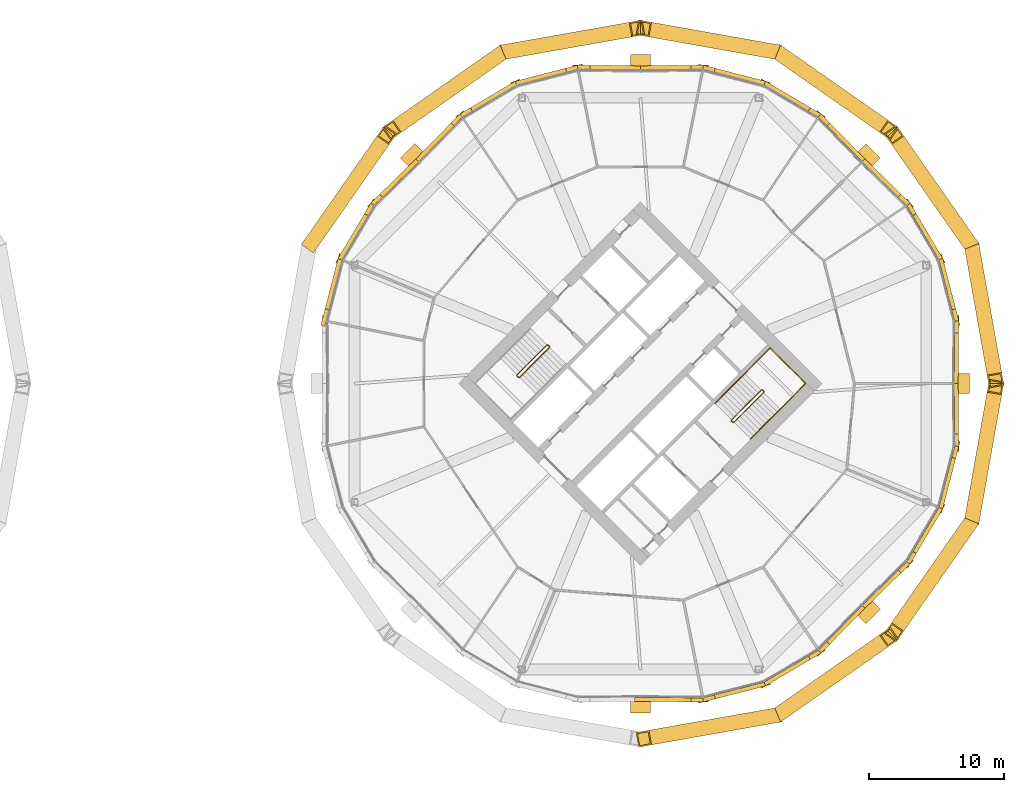
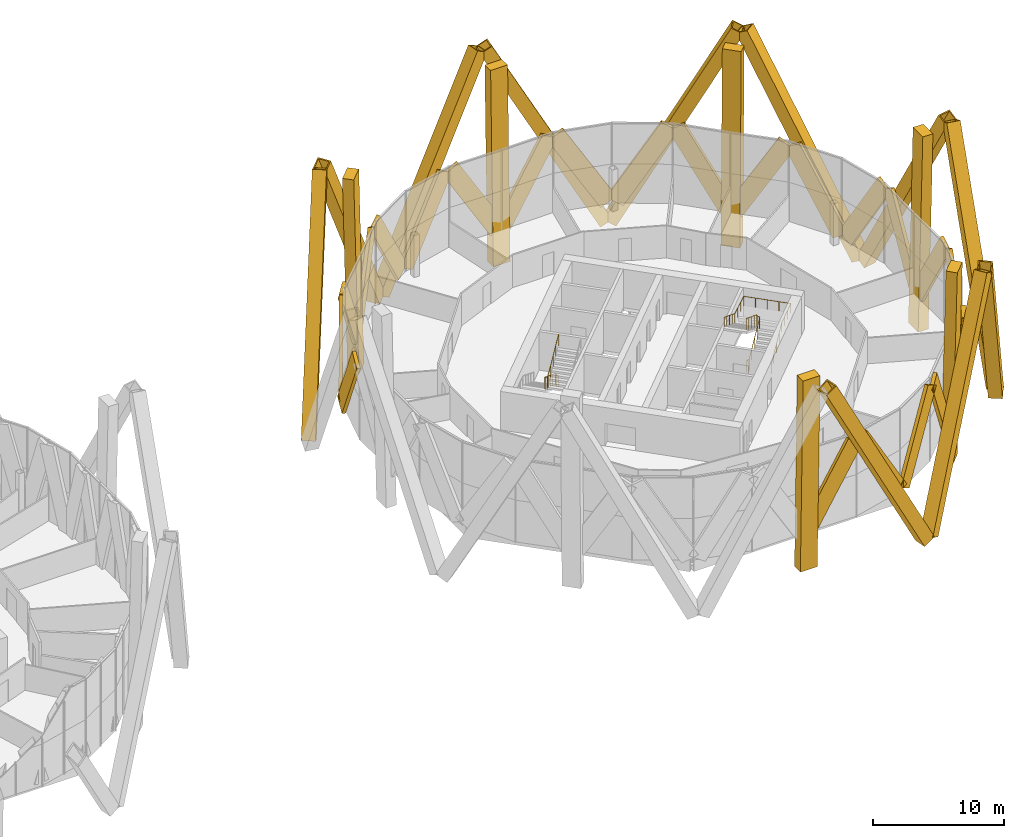
# One storey, part 30 of 31: 40 coverings, 3 railings.
"""IFC4 building model written with IfcOpenShell, lengths in metres."""

from ifc_helpers import new_model, si_unit, direction, frame, origin, origin_2d, place, context, subcontext, project, spatial, rectangle, hollow_rectangle, circle, extrude, material, material_profile, profile_set, type_object, element, save


model = new_model("IFC4")

# Units and contexts
model_context = context("Model", 3, precision=1e-05, world=origin(), true_north=direction((0.0, 1.0)))
body_context = subcontext(model_context, "Body", "Model", "MODEL_VIEW")
ifc_project = project(units=[si_unit("LENGTHUNIT", "METRE"), si_unit("AREAUNIT", "SQUARE_METRE"), si_unit("VOLUMEUNIT", "CUBIC_METRE"), si_unit("PLANEANGLEUNIT", "RADIAN"), si_unit("MASSUNIT", "GRAM", prefix="KILO")], contexts=[model_context])

# Site, building, storey
site_placement = place(None, origin())
site = spatial("IfcSite", under=ifc_project, at=site_placement, CompositionType="ELEMENT")
building_placement = place(site_placement, origin())
building = spatial("IfcBuilding", under=site, at=building_placement, Name="Ogive Gate Towers", CompositionType="ELEMENT")
storey_placement = place(building_placement, frame((0.0, 0.0, 55.800048828125)))
storey = spatial("IfcBuildingStorey", under=building, at=storey_placement, Name="L12", CompositionType="ELEMENT", Elevation=55.800048828125)

# Coverings
ifc_material_1 = material(Name="Pale metal aluminium", Category="aluminium")
ifc_material_profile_1 = material_profile(ifc_material_1, rectangle(XDim=1.5, YDim=0.89990234375, at=origin_2d()), Name="1500 x 900 pale metal aluminium")
ifc_profile_set_1 = profile_set([ifc_material_profile_1], Name="Pale metal aluminium")
covering_type_1 = type_object("IfcCoveringType", Name="Crease colonnette 1500 x 900", PredefinedType="CLADDING", material=ifc_profile_set_1)
for number, where, z_axis, x_axis, name in (
    (1, (59.510009765625, 0.0, -3.199951171875), (0.022641455512, 0.0, 0.999743649388), (0.0, 1.0, 0.0), "Crease colonnette"),
    (2, (52.6240234375, 16.6240234375, -3.199951171875), (0.016020274109, 0.016020274109, 0.999743317875), (-0.707106781187, 0.707106781187, 0.0), "Crease colonnette"),
    (3, (36.0, 23.510009765625, -3.199951171875), (0.0, 0.022641455512, 0.999743649388), (-1.0, 0.0, 0.0), "Crease colonnette"),
    (4, (19.3759765625, 16.6240234375, -3.199951171875), (-0.016020274109, 0.016020274109, 0.999743317875), (-0.707106781187, -0.707106781187, 0.0), "Crease colonnette"),
    (5, (36.0, -23.510009765625, -3.199951171875), (0.0, -0.022641455512, 0.999743649388), (1.0, 0.0, 0.0), "Crease colonnette"),
    (6, (52.6240234375, -16.6240234375, -3.199951171875), (0.016020274109, -0.016020274109, 0.999743317875), (0.707106781187, 0.707106781187, 0.0), "Crease colonnette"),
):
    element("IfcCovering", number, at=place(storey_placement, frame(where, z_axis=z_axis, x_axis=x_axis)), inside=storey, type_object=covering_type_1, Name=name, PredefinedType="CLADDING", context=body_context, shape_type="SweptSolid", body=[
        extrude(rectangle(XDim=1.5, YDim=0.89990234375, at=origin_2d()), origin(), (0.0, 0.0, 1.0), 18.1044921875),
    ])
ifc_material_2 = material(Name="Pale metal aluminium cladding", Category="aluminium")
ifc_material_profile_2 = material_profile(ifc_material_2, hollow_rectangle(XDim=1.10009765625, YDim=1.10009765625, WallThickness=0.10009765625, at=origin_2d()), Name="1100 x 1100 pale metal casing")
ifc_profile_set_2 = profile_set([ifc_material_profile_2], Name="Pale metal aluminium cladding")
covering_type_2 = type_object("IfcCoveringType", Name="Diagrid casing 1100 x 1100", PredefinedType="CLADDING", material=ifc_profile_set_2)
for number, where, z_axis, x_axis, name in (
    (7, (60.573974609375, 9.906982421875, -3.4140625), (0.081633060941, -0.460529727874, 0.8838825788), (0.984650404569, 0.174538192904, 0.0), "Diagrid casing"),
    (8, (60.381591796875, 10.37109375, -3.4140625), (-0.267924536079, 0.383368285063, 0.88388076174), (-0.819666880765, -0.572840470443, 0.0), "Diagrid casing"),
    (9, (46.37109375, 24.381591796875, -3.4140625), (0.383368285063, -0.267924536079, 0.88388076174), (0.572840470443, 0.819666880765, 0.0), "Diagrid casing"),
    (10, (45.906982421875, 24.573974609375, -3.4140625), (-0.460529727874, 0.081633060941, 0.8838825788), (-0.174538192904, -0.984650404569, 0.0), "Diagrid casing"),
    (11, (26.093017578125, 24.573974609375, -3.4140625), (0.460529727874, 0.081633060941, 0.8838825788), (-0.174538192904, 0.984650404569, 0.0), "Diagrid casing"),
    (12, (25.62890625, 24.381591796875, -3.4140625), (-0.383368285063, -0.267924536079, 0.88388076174), (0.572840470443, -0.819666880765, 0.0), "Diagrid casing"),
    (13, (11.618408203125, 10.37109375, -3.4140625), (0.267924536079, 0.383368285063, 0.88388076174), (-0.819666880765, 0.572840470443, 0.0), "Diagrid casing"),
    (14, (45.906982421875, -24.573974609375, -3.4140625), (-0.460529727874, -0.081633060941, 0.8838825788), (0.174538192904, -0.984650404569, 0.0), "Diagrid casing"),
    (15, (46.37109375, -24.381591796875, -3.4140625), (0.383368285063, 0.267924536079, 0.88388076174), (-0.572840470443, 0.819666880765, 0.0), "Diagrid casing"),
    (16, (60.381591796875, -10.37109375, -3.4140625), (-0.267924536079, -0.383368285063, 0.88388076174), (0.819666880765, -0.572840470443, 0.0), "Diagrid casing"),
    (17, (60.573974609375, -9.906982421875, -3.4140625), (0.081633060941, 0.460529727874, 0.8838825788), (-0.984650404569, 0.174538192904, 0.0), "Diagrid casing"),
):
    element("IfcCovering", number, at=place(storey_placement, frame(where, z_axis=z_axis, x_axis=x_axis)), inside=storey, type_object=covering_type_2, Name=name, PredefinedType="CLADDING", context=body_context, shape_type="SweptSolid", body=[
        extrude(hollow_rectangle(XDim=1.10009765625, YDim=1.10009765625, WallThickness=0.10009765625, at=origin_2d()), origin(), (0.0, 0.0, 1.0), 20.9619140625),
    ])
ifc_material_profile_3 = material_profile(ifc_material_1, rectangle(XDim=0.300048828125, YDim=1.5, at=origin_2d()), Name="1500 x 300 pale metal aluminium")
ifc_profile_set_3 = profile_set([ifc_material_profile_3], Name="Pale metal aluminium")
covering_type_3 = type_object("IfcCoveringType", Name="Facade fin 1500 x 300", PredefinedType="CLADDING", material=ifc_profile_set_3)
covering_1_placement = place(storey_placement, frame((59.372314453125, 0.223388671875, 0.031494140625), z_axis=(0.005227298742, 0.50866097305, 0.860951038006), x_axis=(-0.999947200062, 0.010276044395, 0.0)))
element("IfcCovering", 18, at=covering_1_placement, inside=storey, type_object=covering_type_3, Name="Facade fin", PredefinedType="CLADDING", context=body_context, shape_type="SweptSolid", body=[
    extrude(rectangle(XDim=0.300048828125, YDim=1.5, at=origin_2d()), origin(), (0.0, 0.0, 1.0), 8.17333984375),
])
for number, where, z_axis, x_axis, name in (
    (19, (58.305419921875, 8.960205078125, 0.03515625), (0.127924906593, -0.497485747863, 0.85798784895), (0.968492932597, 0.249041039811, 0.0), "Facade fin"),
    (20, (58.108154296875, 9.4365234375, 0.03515625), (-0.261358721817, 0.442232902804, 0.857975336596), (-0.860893036422, -0.508785986285, 0.0), "Facade fin"),
):
    element("IfcCovering", number, at=place(storey_placement, frame(where, z_axis=z_axis, x_axis=x_axis)), inside=storey, type_object=covering_type_3, Name=name, PredefinedType="CLADDING", context=body_context, shape_type="SweptSolid", body=[
        extrude(rectangle(XDim=0.300048828125, YDim=1.5, at=origin_2d()), origin(), (0.0, 0.0, 1.0), 8.193115234375),
    ])
for number, where, z_axis, x_axis, name in (
    (21, (52.6845703125, 16.368896484375, 0.031494140625), (0.363396488892, -0.355988768257, 0.860938434928), (0.699788395832, 0.714350194973, 0.0), "Facade fin"),
    (22, (52.368896484375, 16.6845703125, 0.031494140625), (-0.355988768257, 0.363396488892, 0.860938434928), (-0.714350194973, -0.699788395832, 0.0), "Facade fin"),
):
    element("IfcCovering", number, at=place(storey_placement, frame(where, z_axis=z_axis, x_axis=x_axis)), inside=storey, type_object=covering_type_3, Name=name, PredefinedType="CLADDING", context=body_context, shape_type="SweptSolid", body=[
        extrude(rectangle(XDim=0.300048828125, YDim=1.5, at=origin_2d()), origin(), (0.0, 0.0, 1.0), 8.173583984375),
    ])
for number, where, z_axis, x_axis, name in (
    (23, (45.4365234375, 22.108154296875, 0.03515625), (0.442232902804, -0.261358721817, 0.857975336596), (0.508785986285, 0.860893036422, 0.0), "Facade fin"),
    (24, (44.960205078125, 22.305419921875, 0.03515625), (-0.497485747863, 0.127924906593, 0.85798784895), (-0.249041039811, -0.968492932597, 0.0), "Facade fin"),
):
    element("IfcCovering", number, at=place(storey_placement, frame(where, z_axis=z_axis, x_axis=x_axis)), inside=storey, type_object=covering_type_3, Name=name, PredefinedType="CLADDING", context=body_context, shape_type="SweptSolid", body=[
        extrude(rectangle(XDim=0.300048828125, YDim=1.5, at=origin_2d()), origin(), (0.0, 0.0, 1.0), 8.193115234375),
    ])
for number, where, z_axis, x_axis, name in (
    (25, (36.223388671875, 23.372314453125, 0.031494140625), (0.50866097305, 0.005227298742, 0.860951038006), (-0.010276044395, 0.999947200062, 0.0), "Facade fin"),
    (26, (35.776611328125, 23.372314453125, 0.031494140625), (-0.50866097305, 0.005227298742, 0.860951038006), (-0.010276044395, -0.999947200062, 0.0), "Facade fin"),
):
    element("IfcCovering", number, at=place(storey_placement, frame(where, z_axis=z_axis, x_axis=x_axis)), inside=storey, type_object=covering_type_3, Name=name, PredefinedType="CLADDING", context=body_context, shape_type="SweptSolid", body=[
        extrude(rectangle(XDim=0.300048828125, YDim=1.5, at=origin_2d()), origin(), (0.0, 0.0, 1.0), 8.17333984375),
    ])
for number, where, z_axis, x_axis, name in (
    (27, (27.039794921875, 22.305419921875, 0.03515625), (0.497485747863, 0.127924906593, 0.85798784895), (-0.249041039811, 0.968492932597, 0.0), "Facade fin"),
    (28, (26.5634765625, 22.108154296875, 0.03515625), (-0.442232902804, -0.261358721817, 0.857975336596), (0.508785986285, -0.860893036422, 0.0), "Facade fin"),
):
    element("IfcCovering", number, at=place(storey_placement, frame(where, z_axis=z_axis, x_axis=x_axis)), inside=storey, type_object=covering_type_3, Name=name, PredefinedType="CLADDING", context=body_context, shape_type="SweptSolid", body=[
        extrude(rectangle(XDim=0.300048828125, YDim=1.5, at=origin_2d()), origin(), (0.0, 0.0, 1.0), 8.193115234375),
    ])
for number, where, z_axis, x_axis, name in (
    (29, (19.631103515625, 16.6845703125, 0.031494140625), (0.355988768257, 0.363396488892, 0.860938434928), (-0.714350194973, 0.699788395832, 0.0), "Facade fin"),
    (30, (19.3154296875, 16.368896484375, 0.031494140625), (-0.363396488892, -0.355988768257, 0.860938434928), (0.699788395832, -0.714350194973, 0.0), "Facade fin"),
):
    element("IfcCovering", number, at=place(storey_placement, frame(where, z_axis=z_axis, x_axis=x_axis)), inside=storey, type_object=covering_type_3, Name=name, PredefinedType="CLADDING", context=body_context, shape_type="SweptSolid", body=[
        extrude(rectangle(XDim=0.300048828125, YDim=1.5, at=origin_2d()), origin(), (0.0, 0.0, 1.0), 8.173583984375),
    ])
for number, where, z_axis, x_axis, name in (
    (31, (13.891845703125, 9.4365234375, 0.03515625), (0.261358721817, 0.442232902804, 0.857975336596), (-0.860893036422, 0.508785986285, 0.0), "Facade fin"),
    (32, (13.694580078125, 8.960205078125, 0.03515625), (-0.127924906593, -0.497485747863, 0.85798784895), (0.968492932597, -0.249041039811, 0.0), "Facade fin"),
):
    element("IfcCovering", number, at=place(storey_placement, frame(where, z_axis=z_axis, x_axis=x_axis)), inside=storey, type_object=covering_type_3, Name=name, PredefinedType="CLADDING", context=body_context, shape_type="SweptSolid", body=[
        extrude(rectangle(XDim=0.300048828125, YDim=1.5, at=origin_2d()), origin(), (0.0, 0.0, 1.0), 8.193115234375),
    ])
covering_2_placement = place(storey_placement, frame((36.223388671875, -23.372314453125, 0.031494140625), z_axis=(0.50866097305, -0.005227298742, 0.860951038006), x_axis=(0.010276044395, 0.999947200062, 0.0)))
element("IfcCovering", 33, at=covering_2_placement, inside=storey, type_object=covering_type_3, Name="Facade fin", PredefinedType="CLADDING", context=body_context, shape_type="SweptSolid", body=[
    extrude(rectangle(XDim=0.300048828125, YDim=1.5, at=origin_2d()), origin(), (0.0, 0.0, 1.0), 8.17333984375),
])
for number, where, z_axis, x_axis, name in (
    (34, (44.960205078125, -22.305419921875, 0.03515625), (-0.497485747863, -0.127924906593, 0.85798784895), (0.249041039811, -0.968492932597, 0.0), "Facade fin"),
    (35, (45.4365234375, -22.108154296875, 0.03515625), (0.442232902804, 0.261358721817, 0.857975336596), (-0.508785986285, 0.860893036422, 0.0), "Facade fin"),
):
    element("IfcCovering", number, at=place(storey_placement, frame(where, z_axis=z_axis, x_axis=x_axis)), inside=storey, type_object=covering_type_3, Name=name, PredefinedType="CLADDING", context=body_context, shape_type="SweptSolid", body=[
        extrude(rectangle(XDim=0.300048828125, YDim=1.5, at=origin_2d()), origin(), (0.0, 0.0, 1.0), 8.193115234375),
    ])
for number, where, z_axis, x_axis, name in (
    (36, (52.368896484375, -16.6845703125, 0.031494140625), (-0.355988768257, -0.363396488892, 0.860938434928), (0.714350194973, -0.699788395832, 0.0), "Facade fin"),
    (37, (52.6845703125, -16.368896484375, 0.031494140625), (0.363396488892, 0.355988768257, 0.860938434928), (-0.699788395832, 0.714350194973, 0.0), "Facade fin"),
):
    element("IfcCovering", number, at=place(storey_placement, frame(where, z_axis=z_axis, x_axis=x_axis)), inside=storey, type_object=covering_type_3, Name=name, PredefinedType="CLADDING", context=body_context, shape_type="SweptSolid", body=[
        extrude(rectangle(XDim=0.300048828125, YDim=1.5, at=origin_2d()), origin(), (0.0, 0.0, 1.0), 8.173583984375),
    ])
for number, where, z_axis, x_axis, name in (
    (38, (58.108154296875, -9.4365234375, 0.03515625), (-0.261358721817, -0.442232902804, 0.857975336596), (0.860893036422, -0.508785986285, 0.0), "Facade fin"),
    (39, (58.305419921875, -8.960205078125, 0.03515625), (0.127924906593, 0.497485747863, 0.85798784895), (-0.968492932597, 0.249041039811, 0.0), "Facade fin"),
):
    element("IfcCovering", number, at=place(storey_placement, frame(where, z_axis=z_axis, x_axis=x_axis)), inside=storey, type_object=covering_type_3, Name=name, PredefinedType="CLADDING", context=body_context, shape_type="SweptSolid", body=[
        extrude(rectangle(XDim=0.300048828125, YDim=1.5, at=origin_2d()), origin(), (0.0, 0.0, 1.0), 8.193115234375),
    ])
covering_3_placement = place(storey_placement, frame((59.372314453125, -0.223388671875, 0.031494140625), z_axis=(0.005227298742, -0.50866097305, 0.860951038006), x_axis=(0.999947200062, 0.010276044395, 0.0)))
element("IfcCovering", 40, at=covering_3_placement, inside=storey, type_object=covering_type_3, Name="Facade fin", PredefinedType="CLADDING", context=body_context, shape_type="SweptSolid", body=[
    extrude(rectangle(XDim=0.300048828125, YDim=1.5, at=origin_2d()), origin(), (0.0, 0.0, 1.0), 8.17333984375),
])

# Railings
ifc_material_3 = material(Name="Stainless steel", Category="steel")
railing_type_1 = type_object("IfcRailingType", Name="Stair guard 1100", PredefinedType="GUARDRAIL", material=ifc_material_3)
railing_1_placement = place(storey_placement, frame((29.15869140625, 2.8603515625, 0.0)))
element("IfcRailing", 41, at=railing_1_placement, inside=storey, type_object=railing_type_1, Name="L12 ST1 stair guard 1", PredefinedType="GUARDRAIL", context=body_context, shape_type="SweptSolid", body=[
    extrude(circle(Radius=0.02392578125, at=origin_2d()), frame((0.0, 0.0, 1.076171875), z_axis=(0.707106781187, -0.707106781187, 0.0), x_axis=(0.707106781187, 0.707106781187, 0.0)), (0.0, 0.0, 1.0), 0.14501953125),
    extrude(circle(Radius=0.02392578125, at=origin_2d()), frame((0.1025390625, -0.1025390625, 1.076171875), z_axis=(-0.645571447971, 0.382425963537, 0.661050594114), x_axis=(-0.509669330572, -0.860370369942, 0.0)), (0.0, 0.0, 1.0), 0.26806640625),
    extrude(circle(Radius=0.02392578125, at=origin_2d()), frame((-0.070556640625, 0.0, 1.25341796875), z_axis=(-0.61558473135, -0.61558473135, 0.49204763698), x_axis=(0.707106781187, -0.707106781187, 0.0)), (0.0, 0.0, 1.0), 3.602783203125),
    extrude(circle(Radius=0.02392578125, at=origin_2d()), frame((-2.288330078125, -2.2177734375, 3.02587890625), z_axis=(0.0, -1.0, 0.0), x_axis=(1.0, 0.0, 0.0)), (0.0, 0.0, 1.0), 0.07080078125),
    extrude(circle(Radius=0.02392578125, at=origin_2d()), frame((-2.288330078125, -2.28857421875, 3.02587890625), z_axis=(0.707106781187, -0.707106781187, 0.0), x_axis=(0.707106781187, 0.707106781187, 0.0)), (0.0, 0.0, 1.0), 0.14501953125),
    extrude(circle(Radius=0.02392578125, at=origin_2d()), frame((-2.185791015625, -2.39111328125, 3.02587890625), z_axis=(0.369845645421, 0.0, 0.929093213065), x_axis=(0.0, 1.0, 0.0)), (0.0, 0.0, 1.0), 0.190673828125),
    extrude(circle(Radius=0.02392578125, at=origin_2d()), frame((-2.115234375, -2.39111328125, 3.203125), z_axis=(0.61558473135, 0.61558473135, 0.49204763698), x_axis=(-0.707106781187, 0.707106781187, 0.0)), (0.0, 0.0, 1.0), 3.602783203125),
    extrude(circle(Radius=0.02099609375, at=origin_2d()), origin(), (0.0, 0.0, 1.0), 1.052001953125),
    extrude(circle(Radius=0.02099609375, at=origin_2d()), frame((0.1025390625, -0.1025390625, 0.0)), (0.0, 0.0, 1.0), 1.052001953125),
    extrude(circle(Radius=0.02099609375, at=origin_2d()), frame((-0.070556640625, 0.0, 0.17724609375)), (0.0, 0.0, 1.0), 1.052001953125),
    extrude(circle(Radius=0.02099609375, at=origin_2d()), frame((-0.625, -0.554443359375, 0.620361328125)), (0.0, 0.0, 1.0), 1.052001953125),
    extrude(circle(Radius=0.02099609375, at=origin_2d()), frame((-1.179443359375, -1.10888671875, 1.0634765625)), (0.0, 0.0, 1.0), 1.052001953125),
    extrude(circle(Radius=0.02099609375, at=origin_2d()), frame((-1.73388671875, -1.663330078125, 1.5068359375)), (0.0, 0.0, 1.0), 1.052001953125),
    extrude(circle(Radius=0.02099609375, at=origin_2d()), frame((-2.288330078125, -2.2177734375, 1.949951171875)), (0.0, 0.0, 1.0), 1.052001953125),
    extrude(circle(Radius=0.02099609375, at=origin_2d()), frame((-2.288330078125, -2.28857421875, 1.949951171875)), (0.0, 0.0, 1.0), 1.052001953125),
    extrude(circle(Radius=0.02099609375, at=origin_2d()), frame((-2.185791015625, -2.39111328125, 1.949951171875)), (0.0, 0.0, 1.0), 1.052001953125),
    extrude(circle(Radius=0.02099609375, at=origin_2d()), frame((-2.115234375, -2.39111328125, 2.127197265625)), (0.0, 0.0, 1.0), 1.052001953125),
    extrude(circle(Radius=0.02099609375, at=origin_2d()), frame((-1.560791015625, -1.836669921875, 2.5703125)), (0.0, 0.0, 1.0), 1.052001953125),
    extrude(circle(Radius=0.02099609375, at=origin_2d()), frame((-1.00634765625, -1.2822265625, 3.013671875)), (0.0, 0.0, 1.0), 1.052001953125),
    extrude(circle(Radius=0.02099609375, at=origin_2d()), frame((-0.451904296875, -0.727783203125, 3.456787109375)), (0.0, 0.0, 1.0), 1.052001953125),
    extrude(circle(Radius=0.02099609375, at=origin_2d()), frame((0.1025390625, -0.17333984375, 3.89990234375)), (0.0, 0.0, 1.0), 1.052001953125),
])
railing_2_placement = place(storey_placement, frame((42.84130859375, -2.8603515625, 0.0)))
element("IfcRailing", 42, at=railing_2_placement, inside=storey, type_object=railing_type_1, Name="L12 ST2 stair guard 1", PredefinedType="GUARDRAIL", context=body_context, shape_type="SweptSolid", body=[
    extrude(circle(Radius=0.02392578125, at=origin_2d()), frame((0.0, 0.0, 1.076171875), z_axis=(-0.707106781187, 0.707106781187, 0.0), x_axis=(-0.707106781187, -0.707106781187, 0.0)), (0.0, 0.0, 1.0), 0.14501953125),
    extrude(circle(Radius=0.02392578125, at=origin_2d()), frame((-0.1025390625, 0.1025390625, 1.076171875), z_axis=(0.645571447971, -0.382425963537, 0.661050594114), x_axis=(0.509669330572, 0.860370369942, 0.0)), (0.0, 0.0, 1.0), 0.26806640625),
    extrude(circle(Radius=0.02392578125, at=origin_2d()), frame((0.070556640625, 0.0, 1.25341796875), z_axis=(0.61558473135, 0.61558473135, 0.49204763698), x_axis=(-0.707106781187, 0.707106781187, 0.0)), (0.0, 0.0, 1.0), 3.602783203125),
    extrude(circle(Radius=0.02392578125, at=origin_2d()), frame((2.288330078125, 2.2177734375, 3.02587890625), z_axis=(0.0, 1.0, 0.0), x_axis=(-1.0, 0.0, 0.0)), (0.0, 0.0, 1.0), 0.07080078125),
    extrude(circle(Radius=0.02392578125, at=origin_2d()), frame((2.288330078125, 2.28857421875, 3.02587890625), z_axis=(-0.707106781187, 0.707106781187, 0.0), x_axis=(-0.707106781187, -0.707106781187, 0.0)), (0.0, 0.0, 1.0), 0.14501953125),
    extrude(circle(Radius=0.02392578125, at=origin_2d()), frame((2.185791015625, 2.39111328125, 3.02587890625), z_axis=(-0.369845645421, 0.0, 0.929093213065), x_axis=(0.0, -1.0, 0.0)), (0.0, 0.0, 1.0), 0.190673828125),
    extrude(circle(Radius=0.02392578125, at=origin_2d()), frame((2.115234375, 2.39111328125, 3.203125), z_axis=(-0.61558473135, -0.61558473135, 0.49204763698), x_axis=(0.707106781187, -0.707106781187, 0.0)), (0.0, 0.0, 1.0), 3.602783203125),
    extrude(circle(Radius=0.02099609375, at=origin_2d()), origin(), (0.0, 0.0, 1.0), 1.052001953125),
    extrude(circle(Radius=0.02099609375, at=origin_2d()), frame((-0.1025390625, 0.1025390625, 0.0)), (0.0, 0.0, 1.0), 1.052001953125),
    extrude(circle(Radius=0.02099609375, at=origin_2d()), frame((0.070556640625, 0.0, 0.17724609375)), (0.0, 0.0, 1.0), 1.052001953125),
    extrude(circle(Radius=0.02099609375, at=origin_2d()), frame((0.625, 0.554443359375, 0.620361328125)), (0.0, 0.0, 1.0), 1.052001953125),
    extrude(circle(Radius=0.02099609375, at=origin_2d()), frame((1.179443359375, 1.10888671875, 1.0634765625)), (0.0, 0.0, 1.0), 1.052001953125),
    extrude(circle(Radius=0.02099609375, at=origin_2d()), frame((1.73388671875, 1.663330078125, 1.5068359375)), (0.0, 0.0, 1.0), 1.052001953125),
    extrude(circle(Radius=0.02099609375, at=origin_2d()), frame((2.288330078125, 2.2177734375, 1.949951171875)), (0.0, 0.0, 1.0), 1.052001953125),
    extrude(circle(Radius=0.02099609375, at=origin_2d()), frame((2.288330078125, 2.28857421875, 1.949951171875)), (0.0, 0.0, 1.0), 1.052001953125),
    extrude(circle(Radius=0.02099609375, at=origin_2d()), frame((2.185791015625, 2.39111328125, 1.949951171875)), (0.0, 0.0, 1.0), 1.052001953125),
    extrude(circle(Radius=0.02099609375, at=origin_2d()), frame((2.115234375, 2.39111328125, 2.127197265625)), (0.0, 0.0, 1.0), 1.052001953125),
    extrude(circle(Radius=0.02099609375, at=origin_2d()), frame((1.560791015625, 1.836669921875, 2.5703125)), (0.0, 0.0, 1.0), 1.052001953125),
    extrude(circle(Radius=0.02099609375, at=origin_2d()), frame((1.00634765625, 1.2822265625, 3.013671875)), (0.0, 0.0, 1.0), 1.052001953125),
    extrude(circle(Radius=0.02099609375, at=origin_2d()), frame((0.451904296875, 0.727783203125, 3.456787109375)), (0.0, 0.0, 1.0), 1.052001953125),
    extrude(circle(Radius=0.02099609375, at=origin_2d()), frame((-0.1025390625, 0.17333984375, 3.89990234375)), (0.0, 0.0, 1.0), 1.052001953125),
])
railing_type_2 = type_object("IfcRailingType", Name="Stair handrail 900", PredefinedType="HANDRAIL", material=ifc_material_3)
railing_3_placement = place(storey_placement, frame((44.142333984375, -4.090576171875, 0.17724609375)))
element("IfcRailing", 43, at=railing_3_placement, inside=storey, type_object=railing_type_2, Name="L12 ST2 stair handrail 1", PredefinedType="HANDRAIL", context=body_context, shape_type="SweptSolid", body=[
    extrude(circle(Radius=0.02392578125, at=origin_2d()), frame((0.0, 0.0, 0.8759765625), z_axis=(0.61558473135, 0.61558473135, 0.49204763698), x_axis=(-0.707106781187, 0.707106781187, 0.0)), (0.0, 0.0, 1.0), 3.602783203125),
    extrude(circle(Radius=0.02392578125, at=origin_2d()), frame((2.2177734375, 2.2177734375, 2.6484375), z_axis=(0.707106781187, 0.707106781187, 0.0), x_axis=(-0.707106781187, 0.707106781187, 0.0)), (0.0, 0.0, 1.0), 2.6484375),
    extrude(circle(Radius=0.02392578125, at=origin_2d()), frame((4.090576171875, 4.090576171875, 2.6484375), z_axis=(-0.707106781187, 0.707106781187, 0.0), x_axis=(-0.707106781187, -0.707106781187, 0.0)), (0.0, 0.0, 1.0), 3.72509765625),
    extrude(circle(Radius=0.02392578125, at=origin_2d()), frame((1.45654296875, 6.724609375, 2.6484375), z_axis=(-0.705482886452, -0.705574853978, 0.066768423356), x_axis=(0.70715286629, -0.70706069308, 0.0)), (0.0, 0.0, 1.0), 2.654541015625),
    extrude(circle(Radius=0.02392578125, at=origin_2d()), frame((-0.416259765625, 4.8515625, 2.82568359375), z_axis=(-0.615610411033, -0.615542642384, 0.4920681632), x_axis=(0.70706785752, -0.70714570271, 0.0)), (0.0, 0.0, 1.0), 3.6025390625),
    extrude(circle(Radius=0.02099609375, at=origin_2d()), origin(), (0.0, 0.0, 1.0), 0.851806640625),
    extrude(circle(Radius=0.02099609375, at=origin_2d()), frame((0.554443359375, 0.554443359375, 0.443115234375)), (0.0, 0.0, 1.0), 0.851806640625),
    extrude(circle(Radius=0.02099609375, at=origin_2d()), frame((1.10888671875, 1.10888671875, 0.88623046875)), (0.0, 0.0, 1.0), 0.851806640625),
    extrude(circle(Radius=0.02099609375, at=origin_2d()), frame((1.663330078125, 1.663330078125, 1.32958984375)), (0.0, 0.0, 1.0), 0.851806640625),
    extrude(circle(Radius=0.02099609375, at=origin_2d()), frame((2.2177734375, 2.2177734375, 1.772705078125)), (0.0, 0.0, 1.0), 0.851806640625),
    extrude(circle(Radius=0.02099609375, at=origin_2d()), frame((2.842041015625, 2.842041015625, 1.772705078125)), (0.0, 0.0, 1.0), 0.851806640625),
    extrude(circle(Radius=0.02099609375, at=origin_2d()), frame((3.46630859375, 3.46630859375, 1.772705078125)), (0.0, 0.0, 1.0), 0.851806640625),
    extrude(circle(Radius=0.02099609375, at=origin_2d()), frame((4.090576171875, 4.090576171875, 1.772705078125)), (0.0, 0.0, 1.0), 0.851806640625),
    extrude(circle(Radius=0.02099609375, at=origin_2d()), frame((3.43212890625, 4.7490234375, 1.772705078125)), (0.0, 0.0, 1.0), 0.851806640625),
    extrude(circle(Radius=0.02099609375, at=origin_2d()), frame((2.7734375, 5.40771484375, 1.772705078125)), (0.0, 0.0, 1.0), 0.851806640625),
    extrude(circle(Radius=0.02099609375, at=origin_2d()), frame((2.114990234375, 6.066162109375, 1.772705078125)), (0.0, 0.0, 1.0), 0.851806640625),
    extrude(circle(Radius=0.02099609375, at=origin_2d()), frame((1.45654296875, 6.724609375, 1.772705078125)), (0.0, 0.0, 1.0), 0.851806640625),
    extrude(circle(Radius=0.02099609375, at=origin_2d()), frame((0.832275390625, 6.100341796875, 1.831787109375)), (0.0, 0.0, 1.0), 0.851806640625),
    extrude(circle(Radius=0.02099609375, at=origin_2d()), frame((0.2080078125, 5.475830078125, 1.890869140625)), (0.0, 0.0, 1.0), 0.851806640625),
    extrude(circle(Radius=0.02099609375, at=origin_2d()), frame((-0.416259765625, 4.8515625, 1.949951171875)), (0.0, 0.0, 1.0), 0.851806640625),
    extrude(circle(Radius=0.02099609375, at=origin_2d()), frame((-0.970703125, 4.297119140625, 2.39306640625)), (0.0, 0.0, 1.0), 0.851806640625),
    extrude(circle(Radius=0.02099609375, at=origin_2d()), frame((-1.525146484375, 3.74267578125, 2.83642578125)), (0.0, 0.0, 1.0), 0.851806640625),
    extrude(circle(Radius=0.02099609375, at=origin_2d()), frame((-2.07958984375, 3.1884765625, 3.279541015625)), (0.0, 0.0, 1.0), 0.851806640625),
    extrude(circle(Radius=0.02099609375, at=origin_2d()), frame((-2.634033203125, 2.634033203125, 3.72265625)), (0.0, 0.0, 1.0), 0.851806640625),
])

save(model, "model.ifc")
